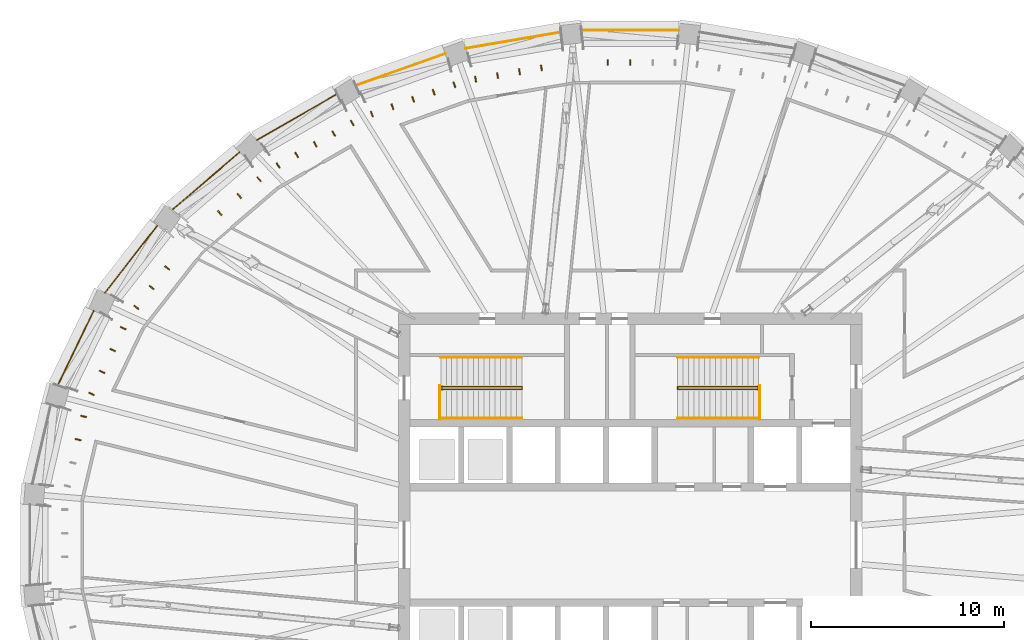
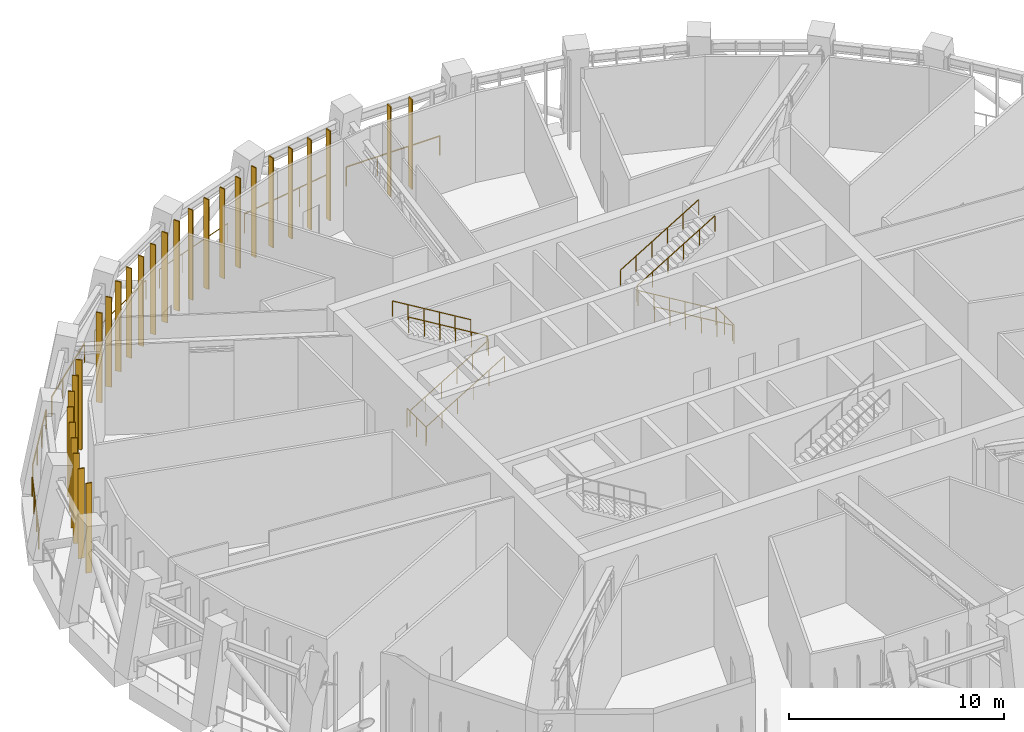
# One storey, part 18 of 20: 28 shading devices, 15 railings.
"""IFC4 building model written with IfcOpenShell, lengths in metres."""

from ifc_helpers import new_model, si_unit, direction, frame, origin, origin_2d, place, context, subcontext, project, spatial, rectangle, circle, extrude, material, material_profile, profile_set, type_object, element, save


model = new_model("IFC4")

# Units and contexts
model_context = context("Model", 3, precision=1e-05, world=origin(), true_north=direction((0.0, 1.0)))
body_context = subcontext(model_context, "Body", "Model", "MODEL_VIEW")
ifc_project = project(units=[si_unit("LENGTHUNIT", "METRE"), si_unit("AREAUNIT", "SQUARE_METRE"), si_unit("VOLUMEUNIT", "CUBIC_METRE"), si_unit("PLANEANGLEUNIT", "RADIAN"), si_unit("MASSUNIT", "GRAM", prefix="KILO")], contexts=[model_context])

# Site, building, storey
site_placement = place(None, origin())
site = spatial("IfcSite", under=ifc_project, at=site_placement, CompositionType="ELEMENT")
building_placement = place(site_placement, origin())
building = spatial("IfcBuilding", under=site, at=building_placement, Name="Halqa Exchange Tower", CompositionType="ELEMENT")
storey_placement = place(building_placement, frame((0.0, 0.0, 250.89990234375)))
storey = spatial("IfcBuildingStorey", under=building, at=storey_placement, Name="L58", CompositionType="ELEMENT", Elevation=250.89990234375)

# Shading devices
ifc_material_1 = material(Name="Anodised aluminium", Category="aluminium")
ifc_material_profile = material_profile(ifc_material_1, rectangle(XDim=0.300048828125, YDim=0.06005859375, at=origin_2d()), Name="AL FIN 300x60")
ifc_profile_set = profile_set([ifc_material_profile], Name="Anodised aluminium")
shading_device_type = type_object("IfcShadingDeviceType", Name="Aluminium louvre FIN 300 x 60", PredefinedType="USERDEFINED", material=ifc_profile_set)
for number, where, z_axis, x_axis, name in (
    (1, (0.0, 24.969970703125, 0.0), (0.0, 0.0, 1.0), (0.0, -1.0, 0.0), "Louvre FIN 8.3"),
    (2, (-1.157470703125, 24.969970703125, 0.0), (0.0, 0.0, 1.0), (0.0, -1.0, 0.0), "Louvre FIN 8.4"),
    (3, (-4.595458984375, 24.6796875, 0.0), (0.0, 0.0, 1.0), (0.168066151282, -0.985775719316, 0.0), "Louvre FIN 9.2"),
    (4, (-5.730224609375, 24.486328125, 0.0), (0.0, 0.0, 1.0), (0.168066151282, -0.985775719316, 0.0), "Louvre FIN 9.3"),
    (5, (-6.864990234375, 24.29296875, 0.0), (0.0, 0.0, 1.0), (0.168066151282, -0.985775719316, 0.0), "Louvre FIN 9.4"),
    (6, (-7.999755859375, 24.099365234375, 0.0), (0.0, 0.0, 1.0), (0.168066151282, -0.985775719316, 0.0), "Louvre FIN 9.5"),
    (7, (-9.100830078125, 23.81298828125, 0.0), (0.0, 0.0, 1.0), (0.334578355387, -0.94236793457, 0.0), "Louvre FIN 10.1"),
    (8, (-10.168701171875, 23.43408203125, 0.0), (0.0, 0.0, 1.0), (0.334578355387, -0.94236793457, 0.0), "Louvre FIN 10.2"),
    (9, (-11.236328125, 23.054931640625, 0.0), (0.0, 0.0, 1.0), (0.334578355387, -0.94236793457, 0.0), "Louvre FIN 10.3"),
    (10, (-12.30419921875, 22.67578125, 0.0), (0.0, 0.0, 1.0), (0.334578355387, -0.94236793457, 0.0), "Louvre FIN 10.4"),
    (11, (-13.371826171875, 22.296875, 0.0), (0.0, 0.0, 1.0), (0.334578355387, -0.94236793457, 0.0), "Louvre FIN 10.5"),
    (12, (-14.385498046875, 21.83251953125, 0.0), (0.0, 0.0, 1.0), (0.496984562745, -0.867759381622, 0.0), "Louvre FIN 11.1"),
    (13, (-15.3447265625, 21.283203125, 0.0), (0.0, 0.0, 1.0), (0.496984562745, -0.867759381622, 0.0), "Louvre FIN 11.2"),
    (14, (-16.303955078125, 20.733642578125, 0.0), (0.0, 0.0, 1.0), (0.496984562745, -0.867759381622, 0.0), "Louvre FIN 11.3"),
    (15, (-17.26318359375, 20.184326171875, 0.0), (0.0, 0.0, 1.0), (0.496984562745, -0.867759381622, 0.0), "Louvre FIN 11.4"),
    (16, (-18.222412109375, 19.635009765625, 0.0), (0.0, 0.0, 1.0), (0.496984562745, -0.867759381622, 0.0), "Louvre FIN 11.5"),
    (17, (-19.210693359375, 18.92431640625, 0.0), (0.0, 0.0, 1.0), (0.650795419867, -0.759253133994, 0.0), "Louvre FIN 12.1"),
    (18, (-20.22802734375, 18.05224609375, 0.0), (0.0, 0.0, 1.0), (0.650795419867, -0.759253133994, 0.0), "Louvre FIN 12.2"),
    (19, (-21.245361328125, 17.180419921875, 0.0), (0.0, 0.0, 1.0), (0.650795419867, -0.759253133994, 0.0), "Louvre FIN 12.3"),
    (20, (-23.967041015625, 14.33837890625, 0.0), (0.0, 0.0, 1.0), (0.788670063644, -0.614816664309, 0.0), "Louvre FIN 13.2"),
    (21, (-24.764404296875, 13.31591796875, 0.0), (0.0, 0.0, 1.0), (0.788670063644, -0.614816664309, 0.0), "Louvre FIN 13.3"),
    (22, (-25.5615234375, 12.293212890625, 0.0), (0.0, 0.0, 1.0), (0.788670063644, -0.614816664309, 0.0), "Louvre FIN 13.4"),
    (23, (-26.23388671875, 11.21533203125, 0.0), (0.0, 0.0, 1.0), (0.900385607481, -0.435092815203, 0.0), "Louvre FIN 14.1"),
    (24, (-26.781494140625, 10.08203125, 0.0), (0.0, 0.0, 1.0), (0.900385607481, -0.435092815203, 0.0), "Louvre FIN 14.2"),
    (25, (-27.3291015625, 8.948974609375, 0.0), (0.0, 0.0, 1.0), (0.900385607481, -0.435092815203, 0.0), "Louvre FIN 14.3"),
    (26, (-27.876708984375, 7.815673828125, 0.0), (0.0, 0.0, 1.0), (0.900385607481, -0.435092815203, 0.0), "Louvre FIN 14.4"),
    (27, (-28.289794921875, 6.648681640625, 0.0), (0.0, 0.0, 1.0), (0.974113055311, -0.226061397572, 0.0), "Louvre FIN 15.1"),
    (28, (-28.568359375, 5.447998046875, 0.0), (0.0, 0.0, 1.0), (0.974113055311, -0.226061397572, 0.0), "Louvre FIN 15.2"),
):
    element("IfcShadingDevice", number, at=place(storey_placement, frame(where, z_axis=z_axis, x_axis=x_axis)), inside=storey, type_object=shading_device_type, Name=name, ObjectType="FIN", PredefinedType="USERDEFINED", context=body_context, shape_type="SweptSolid", body=[
        extrude(rectangle(XDim=0.300048828125, YDim=0.06005859375, at=origin_2d()), origin(), (0.0, 0.0, 1.0), 5.10009765625),
    ])

# Railings
ifc_material_2 = material(Name="Stainless steel", Category="steel")
railing_type_1 = type_object("IfcRailingType", Name="Guard 1100 stainless steel", PredefinedType="GUARDRAIL", material=ifc_material_2)
railing_1_placement = place(storey_placement, frame((2.50927734375, 26.623046875, 0.0)))
element("IfcRailing", 29, at=railing_1_placement, inside=storey, type_object=railing_type_1, Name="Band edge guard 8", PredefinedType="GUARDRAIL", context=body_context, shape_type="SweptSolid", body=[
    extrude(circle(Radius=0.02392578125, at=origin_2d()), frame((0.0, 0.0, 1.076171875), z_axis=(-1.0, 0.0, 0.0), x_axis=(0.0, -1.0, 0.0)), (0.0, 0.0, 1.0), 5.0185546875),
    extrude(circle(Radius=0.02099609375, at=origin_2d()), origin(), (0.0, 0.0, 1.0), 1.052001953125),
    extrude(circle(Radius=0.02099609375, at=origin_2d()), frame((-1.6728515625, 0.0, 0.0)), (0.0, 0.0, 1.0), 1.052001953125),
    extrude(circle(Radius=0.02099609375, at=origin_2d()), frame((-3.345703125, 0.0, 0.0)), (0.0, 0.0, 1.0), 1.052001953125),
    extrude(circle(Radius=0.02099609375, at=origin_2d()), frame((-5.0185546875, 0.0, 0.0)), (0.0, 0.0, 1.0), 1.052001953125),
])
railing_2_placement = place(storey_placement, frame((-3.601318359375, 26.53076171875, 0.0)))
element("IfcRailing", 30, at=railing_2_placement, inside=storey, type_object=railing_type_1, Name="Band edge guard 9", PredefinedType="GUARDRAIL", context=body_context, shape_type="SweptSolid", body=[
    extrude(circle(Radius=0.02392578125, at=origin_2d()), frame((0.0, 0.0, 1.076171875), z_axis=(-0.985770472782, -0.168096921419, 0.0), x_axis=(0.168096921419, -0.985770472782, 0.0)), (0.0, 0.0, 1.0), 4.987548828125),
    extrude(circle(Radius=0.02099609375, at=origin_2d()), origin(), (0.0, 0.0, 1.0), 1.052001953125),
    extrude(circle(Radius=0.02099609375, at=origin_2d()), frame((-1.638916015625, -0.279541015625, 0.0)), (0.0, 0.0, 1.0), 1.052001953125),
    extrude(circle(Radius=0.02099609375, at=origin_2d()), frame((-3.277587890625, -0.558837890625, 0.0)), (0.0, 0.0, 1.0), 1.052001953125),
    extrude(circle(Radius=0.02099609375, at=origin_2d()), frame((-4.91650390625, -0.83837890625, 0.0)), (0.0, 0.0, 1.0), 1.052001953125),
])
railing_3_placement = place(storey_placement, frame((-9.578125, 25.416015625, 0.0)))
element("IfcRailing", 31, at=railing_3_placement, inside=storey, type_object=railing_type_1, Name="Band edge guard 10", PredefinedType="GUARDRAIL", context=body_context, shape_type="SweptSolid", body=[
    extrude(circle(Radius=0.02392578125, at=origin_2d()), frame((0.0, 0.0, 1.076171875), z_axis=(-0.942363882557, -0.334589768002, 0.0), x_axis=(0.334589768002, -0.942363882557, 0.0)), (0.0, 0.0, 1.0), 4.898193359375),
    extrude(circle(Radius=0.02099609375, at=origin_2d()), origin(), (0.0, 0.0, 1.0), 1.052001953125),
    extrude(circle(Radius=0.02099609375, at=origin_2d()), frame((-1.53857421875, -0.54638671875, 0.0)), (0.0, 0.0, 1.0), 1.052001953125),
    extrude(circle(Radius=0.02099609375, at=origin_2d()), frame((-3.077392578125, -1.092529296875, 0.0)), (0.0, 0.0, 1.0), 1.052001953125),
    extrude(circle(Radius=0.02099609375, at=origin_2d()), frame((-4.615966796875, -1.638916015625, 0.0)), (0.0, 0.0, 1.0), 1.052001953125),
])
railing_4_placement = place(storey_placement, frame((-15.189697265625, 23.31982421875, 0.0)))
element("IfcRailing", 32, at=railing_4_placement, inside=storey, type_object=railing_type_1, Name="Band edge guard 11", PredefinedType="GUARDRAIL", context=body_context, shape_type="SweptSolid", body=[
    extrude(circle(Radius=0.02392578125, at=origin_2d()), frame((0.0, 0.0, 1.076171875), z_axis=(-0.867760081541, -0.496983340651, 0.0), x_axis=(0.496983340651, -0.867760081541, 0.0)), (0.0, 0.0, 1.0), 4.7626953125),
    extrude(circle(Radius=0.02099609375, at=origin_2d()), origin(), (0.0, 0.0, 1.0), 1.052001953125),
    extrude(circle(Radius=0.02099609375, at=origin_2d()), frame((-1.377685546875, -0.7890625, 0.0)), (0.0, 0.0, 1.0), 1.052001953125),
    extrude(circle(Radius=0.02099609375, at=origin_2d()), frame((-2.755126953125, -1.577880859375, 0.0)), (0.0, 0.0, 1.0), 1.052001953125),
    extrude(circle(Radius=0.02099609375, at=origin_2d()), frame((-4.1328125, -2.366943359375, 0.0)), (0.0, 0.0, 1.0), 1.052001953125),
])
railing_5_placement = place(storey_placement, frame((-20.21728515625, 20.321533203125, 0.0)))
element("IfcRailing", 33, at=railing_5_placement, inside=storey, type_object=railing_type_1, Name="Band edge guard 12", PredefinedType="GUARDRAIL", context=body_context, shape_type="SweptSolid", body=[
    extrude(circle(Radius=0.02392578125, at=origin_2d()), frame((0.0, 0.0, 1.076171875), z_axis=(-0.759260350244, -0.650787000905, 0.0), x_axis=(0.650787000905, -0.759260350244, 0.0)), (0.0, 0.0, 1.0), 4.59814453125),
    extrude(circle(Radius=0.02099609375, at=origin_2d()), origin(), (0.0, 0.0, 1.0), 1.052001953125),
    extrude(circle(Radius=0.02099609375, at=origin_2d()), frame((-1.163818359375, -0.99755859375, 0.0)), (0.0, 0.0, 1.0), 1.052001953125),
    extrude(circle(Radius=0.02099609375, at=origin_2d()), frame((-2.327392578125, -1.994873046875, 0.0)), (0.0, 0.0, 1.0), 1.052001953125),
    extrude(circle(Radius=0.02099609375, at=origin_2d()), frame((-3.4912109375, -2.992431640625, 0.0)), (0.0, 0.0, 1.0), 1.052001953125),
])
railing_6_placement = place(storey_placement, frame((-24.464111328125, 16.537353515625, 0.0)))
element("IfcRailing", 34, at=railing_6_placement, inside=storey, type_object=railing_type_1, Name="Band edge guard 13", PredefinedType="GUARDRAIL", context=body_context, shape_type="SweptSolid", body=[
    extrude(circle(Radius=0.02392578125, at=origin_2d()), frame((0.0, 0.0, 1.076171875), z_axis=(-0.614837099367, -0.788654132838, 0.0), x_axis=(0.788654132838, -0.614837099367, 0.0)), (0.0, 0.0, 1.0), 4.4287109375),
    extrude(circle(Radius=0.02099609375, at=origin_2d()), origin(), (0.0, 0.0, 1.0), 1.052001953125),
    extrude(circle(Radius=0.02099609375, at=origin_2d()), frame((-0.90771484375, -1.164306640625, 0.0)), (0.0, 0.0, 1.0), 1.052001953125),
    extrude(circle(Radius=0.02099609375, at=origin_2d()), frame((-1.815185546875, -2.328369140625, 0.0)), (0.0, 0.0, 1.0), 1.052001953125),
    extrude(circle(Radius=0.02099609375, at=origin_2d()), frame((-2.722900390625, -3.49267578125, 0.0)), (0.0, 0.0, 1.0), 1.052001953125),
])
railing_7_placement = place(storey_placement, frame((-27.764404296875, 12.115478515625, 0.0)))
element("IfcRailing", 35, at=railing_7_placement, inside=storey, type_object=railing_type_1, Name="Band edge guard 14", PredefinedType="GUARDRAIL", context=body_context, shape_type="SweptSolid", body=[
    extrude(circle(Radius=0.02392578125, at=origin_2d()), frame((0.0, 0.0, 1.076171875), z_axis=(-0.435128594947, -0.900368316779, 0.0), x_axis=(0.900368316779, -0.435128594947, 0.0)), (0.0, 0.0, 1.0), 4.281005859375),
    extrude(circle(Radius=0.02099609375, at=origin_2d()), origin(), (0.0, 0.0, 1.0), 1.052001953125),
    extrude(circle(Radius=0.02099609375, at=origin_2d()), frame((-0.620849609375, -1.284912109375, 0.0)), (0.0, 0.0, 1.0), 1.052001953125),
    extrude(circle(Radius=0.02099609375, at=origin_2d()), frame((-1.241943359375, -2.569580078125, 0.0)), (0.0, 0.0, 1.0), 1.052001953125),
    extrude(circle(Radius=0.02099609375, at=origin_2d()), frame((-1.86279296875, -3.8544921875, 0.0)), (0.0, 0.0, 1.0), 1.052001953125),
])
railing_type_2 = type_object("IfcRailingType", Name="Stair handrail 900", PredefinedType="HANDRAIL", material=ifc_material_2)
railing_8_placement = place(storey_placement, frame((-9.800048828125, 8.06005859375, 0.168701171875)))
element("IfcRailing", 36, at=railing_8_placement, inside=storey, type_object=railing_type_2, Name="Handrail ST1.1", PredefinedType="HANDRAIL", context=body_context, shape_type="SweptSolid", body=[
    extrude(circle(Radius=0.02392578125, at=origin_2d()), frame((0.0, 0.0, 0.8759765625), z_axis=(0.856454481726, 0.0, 0.516222549615), x_axis=(0.0, 1.0, 0.0)), (0.0, 0.0, 1.0), 4.90380859375),
    extrude(circle(Radius=0.02392578125, at=origin_2d()), frame((4.199951171875, 0.0, 3.4072265625), z_axis=(0.0, 0.610043206925, 0.792368150348), x_axis=(-1.0, 0.0, 0.0)), (0.0, 0.0, 1.0), 0.212890625),
    extrude(circle(Radius=0.02392578125, at=origin_2d()), frame((4.199951171875, 0.1298828125, 3.576171875), z_axis=(-0.856476492594, 0.0, 0.516186030065), x_axis=(0.0, -1.0, 0.0)), (0.0, 0.0, 1.0), 4.90380859375),
    extrude(circle(Radius=0.02099609375, at=origin_2d()), origin(), (0.0, 0.0, 1.0), 0.851806640625),
    extrude(circle(Radius=0.02099609375, at=origin_2d()), frame((0.840087890625, 0.0, 0.50634765625)), (0.0, 0.0, 1.0), 0.851806640625),
    extrude(circle(Radius=0.02099609375, at=origin_2d()), frame((1.679931640625, 0.0, 1.0126953125)), (0.0, 0.0, 1.0), 0.851806640625),
    extrude(circle(Radius=0.02099609375, at=origin_2d()), frame((2.52001953125, 0.0, 1.518798828125)), (0.0, 0.0, 1.0), 0.851806640625),
    extrude(circle(Radius=0.02099609375, at=origin_2d()), frame((3.35986328125, 0.0, 2.025146484375)), (0.0, 0.0, 1.0), 0.851806640625),
    extrude(circle(Radius=0.02099609375, at=origin_2d()), frame((4.199951171875, 0.0, 2.531494140625)), (0.0, 0.0, 1.0), 0.851806640625),
    extrude(circle(Radius=0.02099609375, at=origin_2d()), frame((4.199951171875, 0.1298828125, 2.7001953125)), (0.0, 0.0, 1.0), 0.851806640625),
    extrude(circle(Radius=0.02099609375, at=origin_2d()), frame((3.35986328125, 0.1298828125, 3.20654296875)), (0.0, 0.0, 1.0), 0.851806640625),
    extrude(circle(Radius=0.02099609375, at=origin_2d()), frame((2.52001953125, 0.1298828125, 3.712646484375)), (0.0, 0.0, 1.0), 0.851806640625),
    extrude(circle(Radius=0.02099609375, at=origin_2d()), frame((1.679931640625, 0.1298828125, 4.218994140625)), (0.0, 0.0, 1.0), 0.851806640625),
    extrude(circle(Radius=0.02099609375, at=origin_2d()), frame((0.840087890625, 0.1298828125, 4.72509765625)), (0.0, 0.0, 1.0), 0.851806640625),
    extrude(circle(Radius=0.02099609375, at=origin_2d()), frame((0.0, 0.1298828125, 5.2314453125)), (0.0, 0.0, 1.0), 0.851806640625),
])
railing_9_placement = place(storey_placement, frame((-9.800048828125, 6.550048828125, 0.168701171875)))
element("IfcRailing", 37, at=railing_9_placement, inside=storey, type_object=railing_type_2, Name="Handrail ST1.2", PredefinedType="HANDRAIL", context=body_context, shape_type="SweptSolid", body=[
    extrude(circle(Radius=0.02392578125, at=origin_2d()), frame((0.0, 0.0, 0.8759765625), z_axis=(0.856454481726, 0.0, 0.516222549615), x_axis=(0.0, 1.0, 0.0)), (0.0, 0.0, 1.0), 4.90380859375),
    extrude(circle(Radius=0.02099609375, at=origin_2d()), origin(), (0.0, 0.0, 1.0), 0.851806640625),
    extrude(circle(Radius=0.02099609375, at=origin_2d()), frame((0.840087890625, 0.0, 0.50634765625)), (0.0, 0.0, 1.0), 0.851806640625),
    extrude(circle(Radius=0.02099609375, at=origin_2d()), frame((1.679931640625, 0.0, 1.0126953125)), (0.0, 0.0, 1.0), 0.851806640625),
    extrude(circle(Radius=0.02099609375, at=origin_2d()), frame((2.52001953125, 0.0, 1.518798828125)), (0.0, 0.0, 1.0), 0.851806640625),
    extrude(circle(Radius=0.02099609375, at=origin_2d()), frame((3.35986328125, 0.0, 2.025146484375)), (0.0, 0.0, 1.0), 0.851806640625),
    extrude(circle(Radius=0.02099609375, at=origin_2d()), frame((4.199951171875, 0.0, 2.531494140625)), (0.0, 0.0, 1.0), 0.851806640625),
])
railing_10_placement = place(storey_placement, frame((-5.60009765625, 9.699951171875, 2.868896484375)))
element("IfcRailing", 38, at=railing_10_placement, inside=storey, type_object=railing_type_2, Name="Handrail ST1.3", PredefinedType="HANDRAIL", context=body_context, shape_type="SweptSolid", body=[
    extrude(circle(Radius=0.02392578125, at=origin_2d()), frame((0.0, 0.0, 0.8759765625), z_axis=(-0.856476492594, 0.0, 0.516186030065), x_axis=(0.0, -1.0, 0.0)), (0.0, 0.0, 1.0), 4.90380859375),
    extrude(circle(Radius=0.02099609375, at=origin_2d()), origin(), (0.0, 0.0, 1.0), 0.851806640625),
    extrude(circle(Radius=0.02099609375, at=origin_2d()), frame((-0.840087890625, 0.0, 0.50634765625)), (0.0, 0.0, 1.0), 0.851806640625),
    extrude(circle(Radius=0.02099609375, at=origin_2d()), frame((-1.679931640625, 0.0, 1.012451171875)), (0.0, 0.0, 1.0), 0.851806640625),
    extrude(circle(Radius=0.02099609375, at=origin_2d()), frame((-2.52001953125, 0.0, 1.518798828125)), (0.0, 0.0, 1.0), 0.851806640625),
    extrude(circle(Radius=0.02099609375, at=origin_2d()), frame((-3.35986328125, 0.0, 2.02490234375)), (0.0, 0.0, 1.0), 0.851806640625),
    extrude(circle(Radius=0.02099609375, at=origin_2d()), frame((-4.199951171875, 0.0, 2.53125)), (0.0, 0.0, 1.0), 0.851806640625),
])
railing_11_placement = place(storey_placement, frame((6.64990234375, 8.06005859375, 0.168701171875)))
element("IfcRailing", 39, at=railing_11_placement, inside=storey, type_object=railing_type_2, Name="Handrail ST2.1", PredefinedType="HANDRAIL", context=body_context, shape_type="SweptSolid", body=[
    extrude(circle(Radius=0.02392578125, at=origin_2d()), frame((0.0, 0.0, 0.8759765625), z_axis=(-0.856454481726, 0.0, 0.516222549615), x_axis=(0.0, -1.0, 0.0)), (0.0, 0.0, 1.0), 4.90380859375),
    extrude(circle(Radius=0.02392578125, at=origin_2d()), frame((-4.199951171875, 0.0, 3.4072265625), z_axis=(0.0, 0.610043206925, 0.792368150348), x_axis=(-1.0, 0.0, 0.0)), (0.0, 0.0, 1.0), 0.212890625),
    extrude(circle(Radius=0.02392578125, at=origin_2d()), frame((-4.199951171875, 0.1298828125, 3.576171875), z_axis=(0.856476492594, 0.0, 0.516186030065), x_axis=(0.0, 1.0, 0.0)), (0.0, 0.0, 1.0), 4.90380859375),
    extrude(circle(Radius=0.02099609375, at=origin_2d()), origin(), (0.0, 0.0, 1.0), 0.851806640625),
    extrude(circle(Radius=0.02099609375, at=origin_2d()), frame((-0.840087890625, 0.0, 0.50634765625)), (0.0, 0.0, 1.0), 0.851806640625),
    extrude(circle(Radius=0.02099609375, at=origin_2d()), frame((-1.679931640625, 0.0, 1.0126953125)), (0.0, 0.0, 1.0), 0.851806640625),
    extrude(circle(Radius=0.02099609375, at=origin_2d()), frame((-2.52001953125, 0.0, 1.518798828125)), (0.0, 0.0, 1.0), 0.851806640625),
    extrude(circle(Radius=0.02099609375, at=origin_2d()), frame((-3.35986328125, 0.0, 2.025146484375)), (0.0, 0.0, 1.0), 0.851806640625),
    extrude(circle(Radius=0.02099609375, at=origin_2d()), frame((-4.199951171875, 0.0, 2.531494140625)), (0.0, 0.0, 1.0), 0.851806640625),
    extrude(circle(Radius=0.02099609375, at=origin_2d()), frame((-4.199951171875, 0.1298828125, 2.7001953125)), (0.0, 0.0, 1.0), 0.851806640625),
    extrude(circle(Radius=0.02099609375, at=origin_2d()), frame((-3.35986328125, 0.1298828125, 3.20654296875)), (0.0, 0.0, 1.0), 0.851806640625),
    extrude(circle(Radius=0.02099609375, at=origin_2d()), frame((-2.52001953125, 0.1298828125, 3.712646484375)), (0.0, 0.0, 1.0), 0.851806640625),
    extrude(circle(Radius=0.02099609375, at=origin_2d()), frame((-1.679931640625, 0.1298828125, 4.218994140625)), (0.0, 0.0, 1.0), 0.851806640625),
    extrude(circle(Radius=0.02099609375, at=origin_2d()), frame((-0.840087890625, 0.1298828125, 4.72509765625)), (0.0, 0.0, 1.0), 0.851806640625),
    extrude(circle(Radius=0.02099609375, at=origin_2d()), frame((0.0, 0.1298828125, 5.2314453125)), (0.0, 0.0, 1.0), 0.851806640625),
])
railing_12_placement = place(storey_placement, frame((6.64990234375, 6.550048828125, 0.168701171875)))
element("IfcRailing", 40, at=railing_12_placement, inside=storey, type_object=railing_type_2, Name="Handrail ST2.2", PredefinedType="HANDRAIL", context=body_context, shape_type="SweptSolid", body=[
    extrude(circle(Radius=0.02392578125, at=origin_2d()), frame((0.0, 0.0, 0.8759765625), z_axis=(-0.856454481726, 0.0, 0.516222549615), x_axis=(0.0, -1.0, 0.0)), (0.0, 0.0, 1.0), 4.90380859375),
    extrude(circle(Radius=0.02099609375, at=origin_2d()), origin(), (0.0, 0.0, 1.0), 0.851806640625),
    extrude(circle(Radius=0.02099609375, at=origin_2d()), frame((-0.840087890625, 0.0, 0.50634765625)), (0.0, 0.0, 1.0), 0.851806640625),
    extrude(circle(Radius=0.02099609375, at=origin_2d()), frame((-1.679931640625, 0.0, 1.0126953125)), (0.0, 0.0, 1.0), 0.851806640625),
    extrude(circle(Radius=0.02099609375, at=origin_2d()), frame((-2.52001953125, 0.0, 1.518798828125)), (0.0, 0.0, 1.0), 0.851806640625),
    extrude(circle(Radius=0.02099609375, at=origin_2d()), frame((-3.35986328125, 0.0, 2.025146484375)), (0.0, 0.0, 1.0), 0.851806640625),
    extrude(circle(Radius=0.02099609375, at=origin_2d()), frame((-4.199951171875, 0.0, 2.531494140625)), (0.0, 0.0, 1.0), 0.851806640625),
])
railing_13_placement = place(storey_placement, frame((2.449951171875, 9.699951171875, 2.868896484375)))
element("IfcRailing", 41, at=railing_13_placement, inside=storey, type_object=railing_type_2, Name="Handrail ST2.3", PredefinedType="HANDRAIL", context=body_context, shape_type="SweptSolid", body=[
    extrude(circle(Radius=0.02392578125, at=origin_2d()), frame((0.0, 0.0, 0.8759765625), z_axis=(0.856476492594, 0.0, 0.516186030065), x_axis=(0.0, 1.0, 0.0)), (0.0, 0.0, 1.0), 4.90380859375),
    extrude(circle(Radius=0.02099609375, at=origin_2d()), origin(), (0.0, 0.0, 1.0), 0.851806640625),
    extrude(circle(Radius=0.02099609375, at=origin_2d()), frame((0.840087890625, 0.0, 0.50634765625)), (0.0, 0.0, 1.0), 0.851806640625),
    extrude(circle(Radius=0.02099609375, at=origin_2d()), frame((1.679931640625, 0.0, 1.012451171875)), (0.0, 0.0, 1.0), 0.851806640625),
    extrude(circle(Radius=0.02099609375, at=origin_2d()), frame((2.52001953125, 0.0, 1.518798828125)), (0.0, 0.0, 1.0), 0.851806640625),
    extrude(circle(Radius=0.02099609375, at=origin_2d()), frame((3.35986328125, 0.0, 2.02490234375)), (0.0, 0.0, 1.0), 0.851806640625),
    extrude(circle(Radius=0.02099609375, at=origin_2d()), frame((4.199951171875, 0.0, 2.53125)), (0.0, 0.0, 1.0), 0.851806640625),
])
railing_type_3 = type_object("IfcRailingType", Name="Stair well guard 1100", PredefinedType="GUARDRAIL", material=ifc_material_2)
for number, where, name in (
    (42, (-9.85009765625, 6.5, 0.0), "Guard ST1 well"),
    (43, (6.699951171875, 6.5, 0.0), "Guard ST2 well"),
):
    element("IfcRailing", number, at=place(storey_placement, frame(where)), inside=storey, type_object=railing_type_3, Name=name, PredefinedType="GUARDRAIL", context=body_context, shape_type="SweptSolid", body=[
        extrude(circle(Radius=0.02392578125, at=origin_2d()), frame((0.0, 0.0, 1.076171875), z_axis=(0.0, 1.0, 0.0), x_axis=(-1.0, 0.0, 0.0)), (0.0, 0.0, 1.0), 1.75),
        extrude(circle(Radius=0.02099609375, at=origin_2d()), origin(), (0.0, 0.0, 1.0), 1.052001953125),
        extrude(circle(Radius=0.02099609375, at=origin_2d()), frame((0.0, 0.875, 0.0)), (0.0, 0.0, 1.0), 1.052001953125),
        extrude(circle(Radius=0.02099609375, at=origin_2d()), frame((0.0, 1.75, 0.0)), (0.0, 0.0, 1.0), 1.052001953125),
    ])

save(model, "model.ifc")
